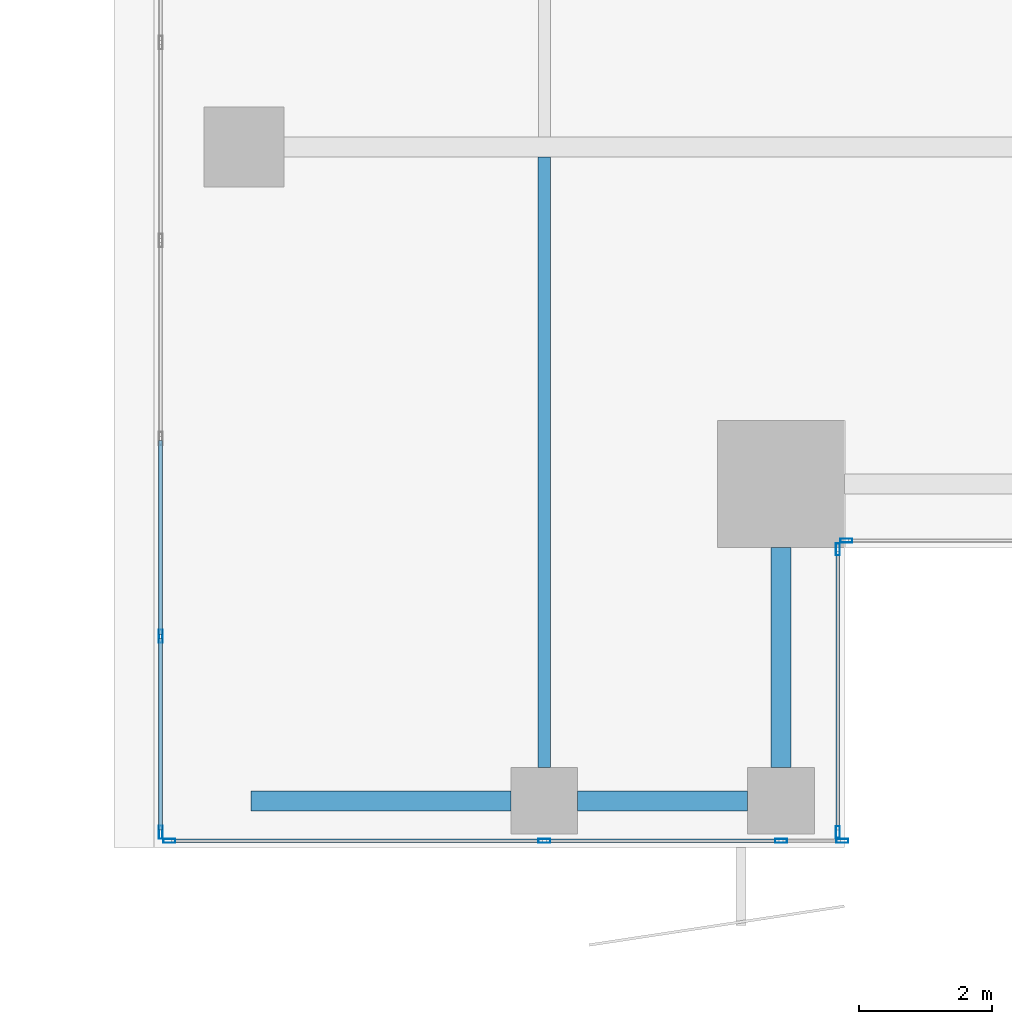
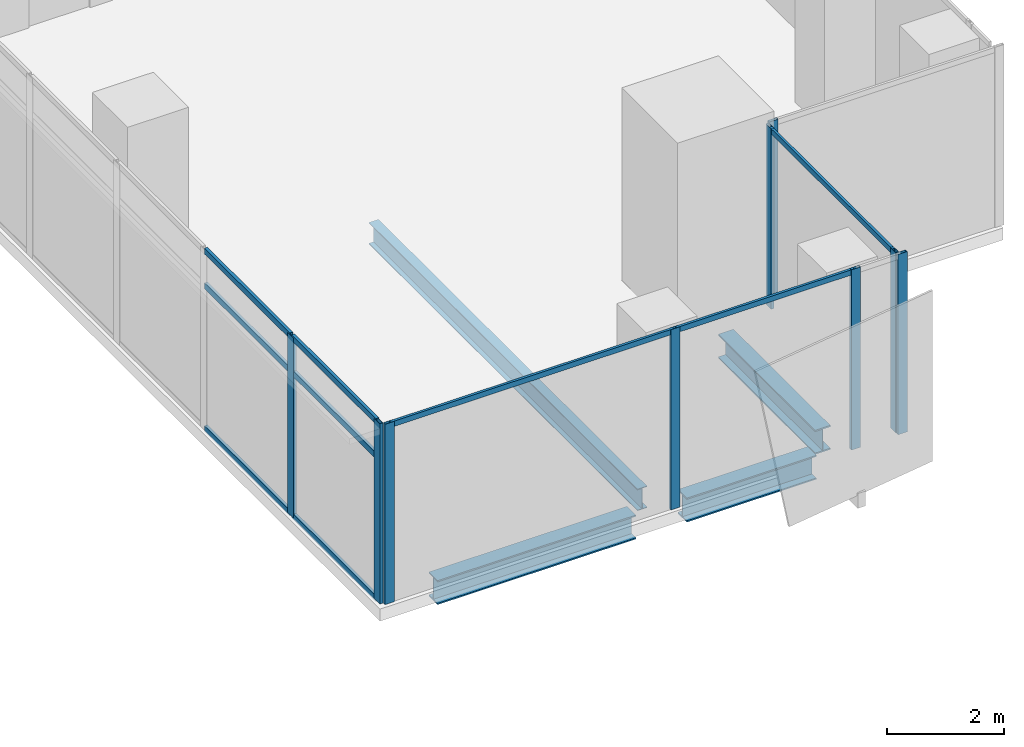
# One storey, part 10 of 40: 18 members, 4 beams, 4 elements without a shape of their own.
"""IFC4 building model written with IfcOpenShell, lengths in metres."""

from ifc_helpers import new_model, si_unit, direction, frame, origin, origin_2d, place, context, subcontext, project, spatial, hollow_rectangle, i_section, extrude, source, transform, mapped, material, material_profile, profile_set, type_object, element, aggregate, save


model = new_model("IFC4")

# Units and contexts
model_context = context("Model", 3, precision=1e-05, world=origin(), true_north=direction((0.0, 1.0)))
body_context = subcontext(model_context, "Body", "Model", "MODEL_VIEW")
ifc_project = project(units=[si_unit("LENGTHUNIT", "METRE"), si_unit("AREAUNIT", "SQUARE_METRE"), si_unit("VOLUMEUNIT", "CUBIC_METRE"), si_unit("PLANEANGLEUNIT", "RADIAN"), si_unit("MASSUNIT", "GRAM", prefix="KILO")], contexts=[model_context])

# Site, building, storey
site_placement = place(None, origin())
site = spatial("IfcSite", under=ifc_project, at=site_placement, CompositionType="ELEMENT")
building_placement = place(site_placement, origin())
building = spatial("IfcBuilding", under=site, at=building_placement, Name="Khomas Fold Tower", CompositionType="ELEMENT")
storey_placement = place(building_placement, frame((0.0, 0.0, 180.699951171875)))
storey = spatial("IfcBuildingStorey", under=building, at=storey_placement, Name="L39", CompositionType="ELEMENT", Elevation=180.699951171875)

# Beams
ifc_material_1 = material(Name="Steel S355", Category="steel")
ifc_material_profile_1 = material_profile(ifc_material_1, i_section(OverallWidth=0.300048828125, OverallDepth=0.5, WebThickness=0.014404296875, FlangeThickness=0.028076171875, at=origin_2d()), Name="HE 500 B")
ifc_profile_set_1 = profile_set([ifc_material_profile_1], Name="Steel S355")
beam_type_1 = type_object("IfcBeamType", Name="HE 500 B spandrel SB3", PredefinedType="SPANDREL", material=ifc_profile_set_1)
shared_shape_1 = source(origin(), body_context, "Body", "SweptSolid", [
    extrude(i_section(OverallWidth=0.300048828125, OverallDepth=0.5, WebThickness=0.014404296875, FlangeThickness=0.028076171875, at=origin_2d()), origin(), (0.0, 0.0, 1.0), 2.550048828125),
])
beam_1_placement = place(storey_placement, frame((42.5, 3.699951171875, -0.5), z_axis=(1.0, 0.0, 0.0), x_axis=(0.0, 1.0, 0.0)))
element("IfcBeam", 1, at=beam_1_placement, inside=storey, type_object=beam_type_1, Name="SB3", PredefinedType="SPANDREL", context=body_context, shape_type="MappedRepresentation", body=[
    mapped(shared_shape_1, transform((0.0, 0.0, 0.0))),
])
shared_shape_2 = source(origin(), body_context, "Body", "SweptSolid", [
    extrude(i_section(OverallWidth=0.300048828125, OverallDepth=0.5, WebThickness=0.014404296875, FlangeThickness=0.028076171875, at=origin_2d()), origin(), (0.0, 0.0, 1.0), 3.89990234375),
])
beam_2_placement = place(storey_placement, frame((37.60009765625, 3.699951171875, -0.5), z_axis=(1.0, 0.0, 0.0), x_axis=(0.0, 1.0, 0.0)))
element("IfcBeam", 2, at=beam_2_placement, inside=storey, type_object=beam_type_1, Name="SB3", PredefinedType="SPANDREL", context=body_context, shape_type="MappedRepresentation", body=[
    mapped(shared_shape_2, transform((0.0, 0.0, 0.0))),
])
shared_shape_3 = source(origin(), body_context, "Body", "SweptSolid", [
    extrude(i_section(OverallWidth=0.300048828125, OverallDepth=0.5, WebThickness=0.014404296875, FlangeThickness=0.028076171875, at=origin_2d()), origin(), (0.0, 0.0, 1.0), 3.300048828125),
])
beam_3_placement = place(storey_placement, frame((45.550048828125, 4.199951171875, -0.5), z_axis=(0.0, 1.0, 0.0), x_axis=(-1.0, 0.0, 0.0)))
element("IfcBeam", 3, at=beam_3_placement, inside=storey, type_object=beam_type_1, Name="SB3", PredefinedType="SPANDREL", context=body_context, shape_type="MappedRepresentation", body=[
    mapped(shared_shape_3, transform((0.0, 0.0, 0.0))),
])
ifc_material_2 = material(Name="Steel S355", Category="steel")
ifc_material_profile_2 = material_profile(ifc_material_2, i_section(OverallWidth=0.18994140625, OverallDepth=0.449951171875, WebThickness=0.009521484375, FlangeThickness=0.0146484375, at=origin_2d()), Name="IPE 450")
ifc_profile_set_2 = profile_set([ifc_material_profile_2], Name="Steel S355")
beam_type_2 = type_object("IfcBeamType", Name="IPE 450 beam JB4", PredefinedType="BEAM", material=ifc_profile_set_2)
shared_shape_4 = source(origin(), body_context, "Body", "SweptSolid", [
    extrude(i_section(OverallWidth=0.18994140625, OverallDepth=0.449951171875, WebThickness=0.009521484375, FlangeThickness=0.0146484375, at=origin_2d()), origin(), (0.0, 0.0, 1.0), 9.150146484375),
])
beam_4_placement = place(storey_placement, frame((42.0, 4.199951171875, -0.474853515625), z_axis=(0.0, 1.0, 0.0), x_axis=(-1.0, 0.0, 0.0)))
element("IfcBeam", 4, at=beam_4_placement, inside=storey, type_object=beam_type_2, Name="JB4", PredefinedType="BEAM", context=body_context, shape_type="MappedRepresentation", body=[
    mapped(shared_shape_4, transform((0.0, 0.0, 0.0))),
])

# Curtain wall, members
ifc_material_3 = material(Name="Aluminium framed double glazing", Category="aluminium")
curtain_wall_type_1 = type_object("IfcCurtainWallType", Name="SK-Unitised clear-glass wall, office floors CW2", PredefinedType="NOTDEFINED", material=ifc_material_3)
curtain_wall_1_placement = place(storey_placement, origin())
curtain_wall_1 = element("IfcCurtainWall", 5, at=curtain_wall_1_placement, inside=storey, type_object=curtain_wall_type_1, Name="CW2 run L39 05-0", PredefinedType="NOTDEFINED")
ifc_material_4 = material(Name="Aluminium", Category="aluminium")
ifc_material_profile_3 = material_profile(ifc_material_4, hollow_rectangle(XDim=0.06005859375, YDim=0.179931640625, WallThickness=0.00390625, at=origin_2d()), Name="SK-Unitised clear-glass wall, office floors mullion CW2-M")
ifc_profile_set_3 = profile_set([ifc_material_profile_3], Name="Aluminium")
member_type_1 = type_object("IfcMemberType", Name="SK-Unitised clear-glass wall, office floors mullion CW2-M", PredefinedType="MULLION", material=ifc_profile_set_3)
shared_shape_5 = source(origin(), body_context, "Body", "SweptSolid", [
    extrude(hollow_rectangle(XDim=0.06005859375, YDim=0.179931640625, WallThickness=0.00390625, at=origin_2d()), origin(), (0.0, 0.0, 1.0), 3.75),
])
member_1_placement = place(storey_placement, frame((36.3798828125, 3.10009765625, 0.0), z_axis=(0.0, 0.0, 1.0), x_axis=(0.0, 1.0, 0.0)))
member_1 = element("IfcMember", 6, at=member_1_placement, type_object=member_type_1, Name="CW2 mullion 1", PredefinedType="MULLION", context=body_context, shape_type="MappedRepresentation", body=[
    mapped(shared_shape_5, transform((0.0, 0.0, 0.0))),
])
member_2_placement = place(storey_placement, frame((42.0, 3.10009765625, 0.0), z_axis=(0.0, 0.0, 1.0), x_axis=(0.0, 1.0, 0.0)))
member_2 = element("IfcMember", 7, at=member_2_placement, type_object=member_type_1, Name="CW2 mullion 2", PredefinedType="MULLION", context=body_context, shape_type="MappedRepresentation", body=[
    mapped(shared_shape_5, transform((0.0, 0.0, 0.0))),
])
member_3_placement = place(storey_placement, frame((45.550048828125, 3.10009765625, 0.0), z_axis=(0.0, 0.0, 1.0), x_axis=(0.0, 1.0, 0.0)))
member_3 = element("IfcMember", 8, at=member_3_placement, type_object=member_type_1, Name="CW2 mullion 3", PredefinedType="MULLION", context=body_context, shape_type="MappedRepresentation", body=[
    mapped(shared_shape_5, transform((0.0, 0.0, 0.0))),
])
member_4_placement = place(storey_placement, frame((46.469970703125, 3.10009765625, 0.0), z_axis=(0.0, 0.0, 1.0), x_axis=(0.0, 1.0, 0.0)))
member_4 = element("IfcMember", 9, at=member_4_placement, type_object=member_type_1, Name="CW2 mullion 4", PredefinedType="MULLION", context=body_context, shape_type="MappedRepresentation", body=[
    mapped(shared_shape_5, transform((0.0, 0.0, 0.0))),
])

curtain_wall_2_placement = place(storey_placement, origin())
curtain_wall_2 = element("IfcCurtainWall", 10, at=curtain_wall_2_placement, inside=storey, type_object=curtain_wall_type_1, Name="CW2 corner return L39 06", PredefinedType="NOTDEFINED")
member_5_placement = place(storey_placement, frame((46.39990234375, 3.22998046875, 0.0), z_axis=(0.0, 0.0, 1.0), x_axis=(-1.0, 0.0, 0.0)))
member_5 = element("IfcMember", 11, at=member_5_placement, type_object=member_type_1, Name="CW2 mullion 1", PredefinedType="MULLION", context=body_context, shape_type="MappedRepresentation", body=[
    mapped(shared_shape_5, transform((0.0, 0.0, 0.0))),
])
member_6_placement = place(storey_placement, frame((46.39990234375, 7.469970703125, 0.0), z_axis=(0.0, 0.0, 1.0), x_axis=(-1.0, 0.0, 0.0)))
member_6 = element("IfcMember", 12, at=member_6_placement, type_object=member_type_1, Name="CW2 mullion 2", PredefinedType="MULLION", context=body_context, shape_type="MappedRepresentation", body=[
    mapped(shared_shape_5, transform((0.0, 0.0, 0.0))),
])

# Curtain wall, member
curtain_wall_3_placement = place(storey_placement, origin())
curtain_wall_3 = element("IfcCurtainWall", 13, at=curtain_wall_3_placement, inside=storey, type_object=curtain_wall_type_1, Name="CW2 corner return L39 07", PredefinedType="NOTDEFINED")
member_7_placement = place(storey_placement, frame((46.530029296875, 7.60009765625, 0.0), z_axis=(0.0, 0.0, 1.0), x_axis=(0.0, 1.0, 0.0)))
member_7 = element("IfcMember", 14, at=member_7_placement, type_object=member_type_1, Name="CW2 mullion 1", PredefinedType="MULLION", context=body_context, shape_type="MappedRepresentation", body=[
    mapped(shared_shape_5, transform((0.0, 0.0, 0.0))),
])
aggregate(curtain_wall_3, [member_7])

# Member
ifc_material_5 = material(Name="Aluminium", Category="aluminium")
ifc_material_profile_4 = material_profile(ifc_material_5, hollow_rectangle(XDim=0.050048828125, YDim=0.110107421875, WallThickness=0.00390625, at=origin_2d()), Name="SK-Unitised clear-glass wall, office floors transom CW2-T")
ifc_profile_set_4 = profile_set([ifc_material_profile_4], Name="Aluminium")
member_type_2 = type_object("IfcMemberType", Name="SK-Unitised clear-glass wall, office floors transom CW2-T", PredefinedType="USERDEFINED", material=ifc_profile_set_4)
shared_shape_6 = source(origin(), body_context, "Body", "SweptSolid", [
    extrude(hollow_rectangle(XDim=0.050048828125, YDim=0.110107421875, WallThickness=0.00390625, at=origin_2d()), origin(), (0.0, 0.0, 1.0), 3.489990234375),
])
member_8_placement = place(storey_placement, frame((42.030029296875, 3.10009765625, 3.695068359375), z_axis=(1.0, 0.0, 0.0), x_axis=(0.0, 1.0, 0.0)))
member_8 = element("IfcMember", 15, at=member_8_placement, type_object=member_type_2, Name="CW2 transom 2", ObjectType="TRANSOM", PredefinedType="USERDEFINED", context=body_context, shape_type="MappedRepresentation", body=[
    mapped(shared_shape_6, transform((0.0, 0.0, 0.0))),
])

shared_shape_7 = source(origin(), body_context, "Body", "SweptSolid", [
    extrude(hollow_rectangle(XDim=0.050048828125, YDim=0.110107421875, WallThickness=0.00390625, at=origin_2d()), origin(), (0.0, 0.0, 1.0), 4.179931640625),
])
member_9_placement = place(storey_placement, frame((46.39990234375, 3.260009765625, 3.695068359375), z_axis=(0.0, 1.0, 0.0), x_axis=(-1.0, 0.0, 0.0)))
member_9 = element("IfcMember", 16, at=member_9_placement, type_object=member_type_2, Name="CW2 transom 1", ObjectType="TRANSOM", PredefinedType="USERDEFINED", context=body_context, shape_type="MappedRepresentation", body=[
    mapped(shared_shape_7, transform((0.0, 0.0, 0.0))),
])

aggregate(curtain_wall_2, [member_5, member_6, member_9])

shared_shape_8 = source(origin(), body_context, "Body", "SweptSolid", [
    extrude(hollow_rectangle(XDim=0.050048828125, YDim=0.110107421875, WallThickness=0.00390625, at=origin_2d()), origin(), (0.0, 0.0, 1.0), 5.56005859375),
])
member_10_placement = place(storey_placement, frame((36.409912109375, 3.10009765625, 3.695068359375), z_axis=(1.0, 0.0, 0.0), x_axis=(0.0, 1.0, 0.0)))
member_10 = element("IfcMember", 17, at=member_10_placement, type_object=member_type_2, Name="CW2 transom 1", ObjectType="TRANSOM", PredefinedType="USERDEFINED", context=body_context, shape_type="MappedRepresentation", body=[
    mapped(shared_shape_8, transform((0.0, 0.0, 0.0))),
])

aggregate(curtain_wall_1, [member_1, member_2, member_3, member_4, member_10, member_8])

# Curtain wall, members
ifc_material_6 = material(Name="Aluminium framed double glazing", Category="aluminium")
curtain_wall_type_2 = type_object("IfcCurtainWallType", Name="Notch glazing GN-CW", PredefinedType="NOTDEFINED", material=ifc_material_6)
curtain_wall_4_placement = place(storey_placement, origin())
curtain_wall_4 = element("IfcCurtainWall", 18, at=curtain_wall_4_placement, inside=storey, type_object=curtain_wall_type_2, Name="Notch glazing run", PredefinedType="NOTDEFINED")
ifc_material_7 = material(Name="Aluminium", Category="aluminium")
ifc_material_profile_5 = material_profile(ifc_material_7, hollow_rectangle(XDim=0.06005859375, YDim=0.1201171875, WallThickness=0.00390625, at=origin_2d()), Name="Notch glazing transom GN-CW-T")
ifc_profile_set_5 = profile_set([ifc_material_profile_5], Name="Aluminium")
member_type_3 = type_object("IfcMemberType", Name="Notch glazing transom GN-CW-T", PredefinedType="USERDEFINED", material=ifc_profile_set_5)
shared_shape_9 = source(origin(), body_context, "Body", "SweptSolid", [
    extrude(hollow_rectangle(XDim=0.06005859375, YDim=0.1201171875, WallThickness=0.00390625, at=origin_2d()), origin(), (0.0, 0.0, 1.0), 2.876708984375),
])
member_11_placement = place(storey_placement, frame((36.25, 6.13671875, 0.030029296875), z_axis=(0.0, -1.0, 0.0), x_axis=(1.0, 0.0, 0.0)))
member_11 = element("IfcMember", 19, at=member_11_placement, type_object=member_type_3, Name="GN-CW transom 6.1", ObjectType="TRANSOM", PredefinedType="USERDEFINED", context=body_context, shape_type="MappedRepresentation", body=[
    mapped(shared_shape_9, transform((0.0, 0.0, 0.0))),
])
member_12_placement = place(storey_placement, frame((36.25, 6.13671875, 3.0), z_axis=(0.0, -1.0, 0.0), x_axis=(1.0, 0.0, 0.0)))
member_12 = element("IfcMember", 20, at=member_12_placement, type_object=member_type_3, Name="GN-CW transom 6.2", ObjectType="TRANSOM", PredefinedType="USERDEFINED", context=body_context, shape_type="MappedRepresentation", body=[
    mapped(shared_shape_9, transform((0.0, 0.0, 0.0))),
])
member_13_placement = place(storey_placement, frame((36.25, 6.13671875, 3.719970703125), z_axis=(0.0, -1.0, 0.0), x_axis=(1.0, 0.0, 0.0)))
member_13 = element("IfcMember", 21, at=member_13_placement, type_object=member_type_3, Name="GN-CW transom 6.3", ObjectType="TRANSOM", PredefinedType="USERDEFINED", context=body_context, shape_type="MappedRepresentation", body=[
    mapped(shared_shape_9, transform((0.0, 0.0, 0.0))),
])
shared_shape_10 = source(origin(), body_context, "Body", "SweptSolid", [
    extrude(hollow_rectangle(XDim=0.06005859375, YDim=0.1201171875, WallThickness=0.00390625, at=origin_2d()), origin(), (0.0, 0.0, 1.0), 2.906494140625),
])
member_14_placement = place(storey_placement, frame((36.25, 9.103271484375, 0.030029296875), z_axis=(0.0, -1.0, 0.0), x_axis=(1.0, 0.0, 0.0)))
member_14 = element("IfcMember", 22, at=member_14_placement, type_object=member_type_3, Name="GN-CW transom 5.1", ObjectType="TRANSOM", PredefinedType="USERDEFINED", context=body_context, shape_type="MappedRepresentation", body=[
    mapped(shared_shape_10, transform((0.0, 0.0, 0.0))),
])
member_15_placement = place(storey_placement, frame((36.25, 9.103271484375, 3.0), z_axis=(0.0, -1.0, 0.0), x_axis=(1.0, 0.0, 0.0)))
member_15 = element("IfcMember", 23, at=member_15_placement, type_object=member_type_3, Name="GN-CW transom 5.2", ObjectType="TRANSOM", PredefinedType="USERDEFINED", context=body_context, shape_type="MappedRepresentation", body=[
    mapped(shared_shape_10, transform((0.0, 0.0, 0.0))),
])
member_16_placement = place(storey_placement, frame((36.25, 9.103271484375, 3.719970703125), z_axis=(0.0, -1.0, 0.0), x_axis=(1.0, 0.0, 0.0)))
member_16 = element("IfcMember", 24, at=member_16_placement, type_object=member_type_3, Name="GN-CW transom 5.3", ObjectType="TRANSOM", PredefinedType="USERDEFINED", context=body_context, shape_type="MappedRepresentation", body=[
    mapped(shared_shape_10, transform((0.0, 0.0, 0.0))),
])
ifc_material_8 = material(Name="Aluminium", Category="aluminium")
ifc_material_profile_6 = material_profile(ifc_material_8, hollow_rectangle(XDim=0.06005859375, YDim=0.199951171875, WallThickness=0.00390625, at=origin_2d()), Name="Notch glazing mullion GN-CW-M")
ifc_profile_set_6 = profile_set([ifc_material_profile_6], Name="Aluminium")
member_type_4 = type_object("IfcMemberType", Name="Notch glazing mullion GN-CW-M", PredefinedType="MULLION", material=ifc_profile_set_6)
shared_shape_11 = source(origin(), body_context, "Body", "SweptSolid", [
    extrude(hollow_rectangle(XDim=0.06005859375, YDim=0.199951171875, WallThickness=0.00390625, at=origin_2d()), origin(), (0.0, 0.0, 1.0), 3.75),
])
member_17_placement = place(storey_placement, frame((36.25, 6.166748046875, 0.0), z_axis=(0.0, 0.0, 1.0), x_axis=(1.0, 0.0, 0.0)))
member_17 = element("IfcMember", 25, at=member_17_placement, type_object=member_type_4, Name="GN-CW mullion 6", PredefinedType="MULLION", context=body_context, shape_type="MappedRepresentation", body=[
    mapped(shared_shape_11, transform((0.0, 0.0, 0.0))),
])
member_18_placement = place(storey_placement, frame((36.25, 3.22998046875, 0.0), z_axis=(0.0, 0.0, 1.0), x_axis=(1.0, 0.0, 0.0)))
member_18 = element("IfcMember", 26, at=member_18_placement, type_object=member_type_4, Name="GN-CW mullion 7", PredefinedType="MULLION", context=body_context, shape_type="MappedRepresentation", body=[
    mapped(shared_shape_11, transform((0.0, 0.0, 0.0))),
])
aggregate(curtain_wall_4, [member_17, member_18, member_14, member_15, member_16, member_11, member_12, member_13])

save(model, "model.ifc")
